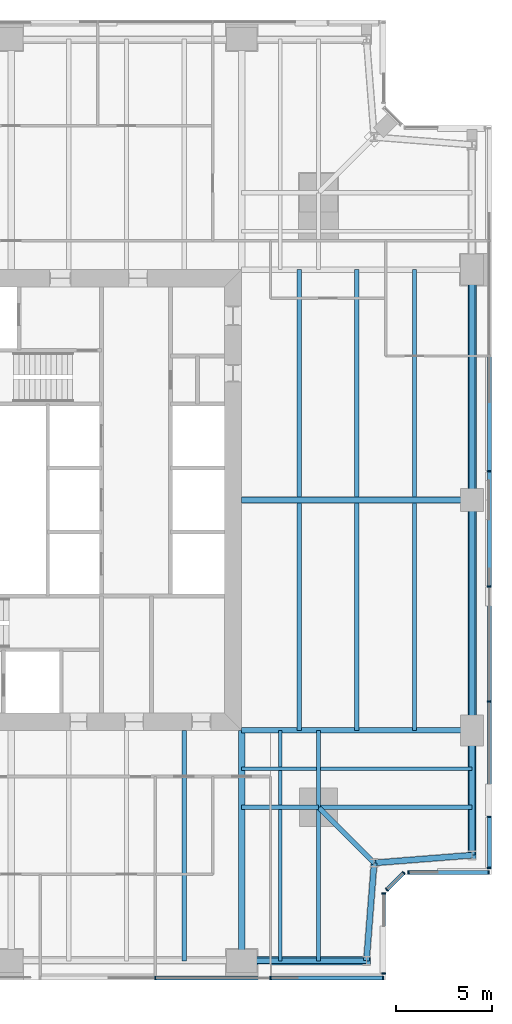
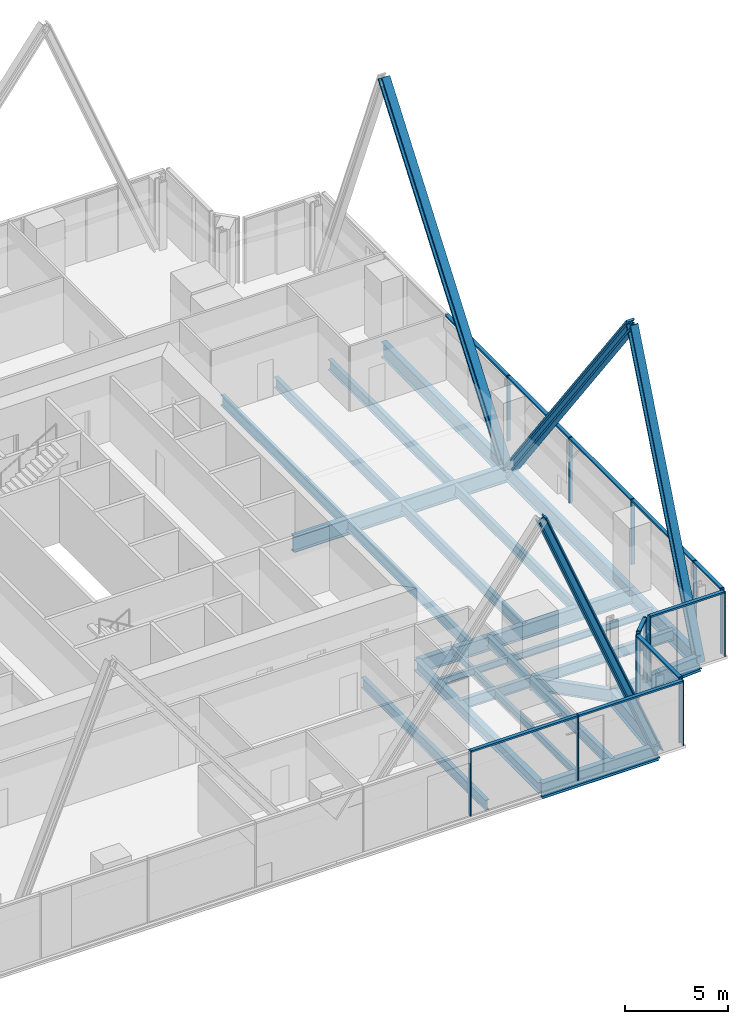
# One storey, part 5 of 14: 28 members, 26 beams, 5 elements without a shape of their own.
"""IFC4 building model written with IfcOpenShell, lengths in metres."""

from ifc_helpers import new_model, si_unit, direction, frame, origin, origin_2d, place, context, subcontext, project, spatial, rectangle, i_section, extrude, material, material_profile, profile_set, type_object, element, aggregate, save


model = new_model("IFC4")

# Units and contexts
model_context = context("Model", 3, precision=1e-05, world=origin(), true_north=direction((0.0, 1.0)))
body_context = subcontext(model_context, "Body", "Model", "MODEL_VIEW")
ifc_project = project(units=[si_unit("LENGTHUNIT", "METRE"), si_unit("AREAUNIT", "SQUARE_METRE"), si_unit("VOLUMEUNIT", "CUBIC_METRE"), si_unit("PLANEANGLEUNIT", "RADIAN"), si_unit("MASSUNIT", "GRAM", prefix="KILO")], contexts=[model_context])

# Site, building, storey
site_placement = place(None, origin())
site = spatial("IfcSite", under=ifc_project, at=site_placement, CompositionType="ELEMENT")
building_placement = place(site_placement, origin())
building = spatial("IfcBuilding", under=site, at=building_placement, Name="Fenwick Lantern Interchange", CompositionType="ELEMENT")
storey_placement = place(building_placement, frame((0.0, 0.0, 185.800048828125)))
storey = spatial("IfcBuildingStorey", under=building, at=storey_placement, Name="L43", CompositionType="ELEMENT", Elevation=185.800048828125)

# Beams
ifc_material_1 = material(Name="Steel ASTM A992 Grade 50", Category="steel")
ifc_material_profile_1 = material_profile(ifc_material_1, i_section(OverallWidth=0.3046875, OverallDepth=0.911865234375, WebThickness=0.015869140625, FlangeThickness=0.02392578125, at=origin_2d()), Name="W36X150")
ifc_profile_set_1 = profile_set([ifc_material_profile_1], Name="Steel ASTM A992 Grade 50")
beam_type_1 = type_object("IfcBeamType", Name="EDGE BEAM W36X150", PredefinedType="SPANDREL", material=ifc_profile_set_1)
beam_1_placement = place(storey_placement, frame((37.0, 1.0, -0.60595703125), z_axis=(1.0, 0.0, 0.0), x_axis=(0.0, 1.0, 0.0)))
element("IfcBeam", 1, at=beam_1_placement, inside=storey, type_object=beam_type_1, Name="L43/FR/S/EB4", PredefinedType="SPANDREL", context=body_context, shape_type="SweptSolid", body=[
    extrude(i_section(OverallWidth=0.3046875, OverallDepth=0.911865234375, WebThickness=0.015869140625, FlangeThickness=0.02392578125, at=origin_2d()), origin(), (0.0, 0.0, 1.0), 6.5),
])
for number, where, z_axis, x_axis, name in (
    (2, (43.5, 1.0, -0.60595703125), (0.078170784639, 0.99693998236, 0.0), (-0.99693998236, 0.078170784639, 0.0), "L43/FR/S/EBR1"),
    (3, (43.89990234375, 6.10009765625, -0.60595703125), (0.99693998236, 0.078170784639, 0.0), (-0.078170784639, 0.99693998236, 0.0), "L43/FR/S/EBR2"),
):
    element("IfcBeam", number, at=place(storey_placement, frame(where, z_axis=z_axis, x_axis=x_axis)), inside=storey, type_object=beam_type_1, Name=name, PredefinedType="SPANDREL", context=body_context, shape_type="SweptSolid", body=[
        extrude(i_section(OverallWidth=0.3046875, OverallDepth=0.911865234375, WebThickness=0.015869140625, FlangeThickness=0.02392578125, at=origin_2d()), origin(), (0.0, 0.0, 1.0), 5.11572265625),
    ])
beam_2_placement = place(storey_placement, frame((49.0, 6.5, -0.60595703125), z_axis=(0.0, 1.0, 0.0), x_axis=(-1.0, 0.0, 0.0)))
element("IfcBeam", 4, at=beam_2_placement, inside=storey, type_object=beam_type_1, Name="L43/FR/E/EB1", PredefinedType="SPANDREL", context=body_context, shape_type="SweptSolid", body=[
    extrude(i_section(OverallWidth=0.3046875, OverallDepth=0.911865234375, WebThickness=0.015869140625, FlangeThickness=0.02392578125, at=origin_2d()), origin(), (0.0, 0.0, 1.0), 6.5),
])
for number, where, z_axis, x_axis, name in (
    (5, (49.0, 13.0, -0.60595703125), (0.0, 1.0, 0.0), (-1.0, 0.0, 0.0), "L43/FR/E/EB2"),
    (6, (49.0, 25.0, -0.60595703125), (0.0, 1.0, 0.0), (-1.0, 0.0, 0.0), "L43/FR/E/EB3"),
):
    element("IfcBeam", number, at=place(storey_placement, frame(where, z_axis=z_axis, x_axis=x_axis)), inside=storey, type_object=beam_type_1, Name=name, PredefinedType="SPANDREL", context=body_context, shape_type="SweptSolid", body=[
        extrude(i_section(OverallWidth=0.3046875, OverallDepth=0.911865234375, WebThickness=0.015869140625, FlangeThickness=0.02392578125, at=origin_2d()), origin(), (0.0, 0.0, 1.0), 12.0),
    ])

# Members
ifc_material_profile_2 = material_profile(ifc_material_1, i_section(OverallWidth=0.424072265625, OverallDepth=0.47509765625, WebThickness=0.0478515625, FlangeThickness=0.0771484375, at=origin_2d()), Name="W14X426")
ifc_profile_set_2 = profile_set([ifc_material_profile_2], Name="Steel ASTM A992 Grade 50")
member_type_1 = type_object("IfcMemberType", Name="FACADE BRACE W14X426", PredefinedType="BRACE", material=ifc_profile_set_2)
for number, where, z_axis, x_axis, name in (
    (7, (43.5, 1.0, -0.60595703125), (-0.376377046956, 0.0, 0.926466577122), (0.0, -1.0, 0.0), "L43/FB/S/BE"),
    (8, (49.0, 6.5, -0.60595703125), (0.0, 0.376377046956, 0.926466577122), (-1.0, 0.0, 0.0), "L43/FB/E/AE"),
):
    element("IfcMember", number, at=place(storey_placement, frame(where, z_axis=z_axis, x_axis=x_axis)), inside=storey, type_object=member_type_1, Name=name, PredefinedType="BRACE", context=body_context, shape_type="SweptSolid", body=[
        extrude(i_section(OverallWidth=0.424072265625, OverallDepth=0.47509765625, WebThickness=0.0478515625, FlangeThickness=0.0771484375, at=origin_2d()), origin(), (0.0, 0.0, 1.0), 17.27001953125),
    ])
ifc_material_profile_3 = material_profile(ifc_material_1, i_section(OverallWidth=0.44189453125, OverallDepth=0.53076171875, WebThickness=0.06591796875, FlangeThickness=0.105712890625, at=origin_2d()), Name="W14X605")
ifc_profile_set_3 = profile_set([ifc_material_profile_3], Name="Steel ASTM A992 Grade 50")
member_type_2 = type_object("IfcMemberType", Name="FACADE BRACE W14X605", PredefinedType="BRACE", material=ifc_profile_set_3)
for number, where, z_axis, x_axis, name in (
    (9, (49.0, 25.0, -0.60595703125), (0.0, -0.6, 0.8), (1.0, 0.0, 0.0), "L43/FB/E/A"),
    (10, (49.0, 25.0, -0.60595703125), (0.0, 0.6, 0.8), (-1.0, 0.0, 0.0), "L43/FB/E/B"),
):
    element("IfcMember", number, at=place(storey_placement, frame(where, z_axis=z_axis, x_axis=x_axis)), inside=storey, type_object=member_type_2, Name=name, PredefinedType="BRACE", context=body_context, shape_type="SweptSolid", body=[
        extrude(i_section(OverallWidth=0.44189453125, OverallDepth=0.53076171875, WebThickness=0.06591796875, FlangeThickness=0.105712890625, at=origin_2d()), origin(), (0.0, 0.0, 1.0), 20.0),
    ])

# Beams
ifc_material_profile_4 = material_profile(ifc_material_1, i_section(OverallWidth=0.22900390625, OverallDepth=0.612060546875, WebThickness=0.011962890625, FlangeThickness=0.01953125, at=origin_2d()), Name="W24X84")
ifc_profile_set_4 = profile_set([ifc_material_profile_4], Name="Steel ASTM A992 Grade 50")
beam_type_2 = type_object("IfcBeamType", Name="FLOOR BEAM W24X84", PredefinedType="BEAM", material=ifc_profile_set_4)
beam_3_placement = place(storey_placement, frame((34.0, 1.0, -0.4560546875), z_axis=(0.0, 1.0, 0.0), x_axis=(-1.0, 0.0, 0.0)))
element("IfcBeam", 11, at=beam_3_placement, inside=storey, type_object=beam_type_2, Name="L43/FR/S/R08", PredefinedType="BEAM", context=body_context, shape_type="SweptSolid", body=[
    extrude(i_section(OverallWidth=0.22900390625, OverallDepth=0.612060546875, WebThickness=0.011962890625, FlangeThickness=0.01953125, at=origin_2d()), origin(), (0.0, 0.0, 1.0), 12.0),
])
for number, where, z_axis, x_axis, name in (
    (12, (46.0, 13.0, -0.4560546875), (0.0, 1.0, 0.0), (-1.0, 0.0, 0.0), "L43/FR/E/B01"),
    (13, (43.0, 13.0, -0.4560546875), (0.0, 1.0, 0.0), (-1.0, 0.0, 0.0), "L43/FR/E/B02"),
    (14, (40.0, 13.0, -0.4560546875), (0.0, 1.0, 0.0), (-1.0, 0.0, 0.0), "L43/FR/E/B03"),
    (15, (46.0, 25.155029296875, -0.4560546875), (0.0, 1.0, 0.0), (-1.0, 0.0, 0.0), "L43/FR/E/B04"),
    (16, (43.0, 25.155029296875, -0.4560546875), (0.0, 1.0, 0.0), (-1.0, 0.0, 0.0), "L43/FR/E/B05"),
    (17, (40.0, 25.155029296875, -0.4560546875), (0.0, 1.0, 0.0), (-1.0, 0.0, 0.0), "L43/FR/E/B06"),
):
    element("IfcBeam", number, at=place(storey_placement, frame(where, z_axis=z_axis, x_axis=x_axis)), inside=storey, type_object=beam_type_2, Name=name, PredefinedType="BEAM", context=body_context, shape_type="SweptSolid", body=[
        extrude(i_section(OverallWidth=0.22900390625, OverallDepth=0.612060546875, WebThickness=0.011962890625, FlangeThickness=0.01953125, at=origin_2d()), origin(), (0.0, 0.0, 1.0), 11.844970703125),
    ])
ifc_material_profile_5 = material_profile(ifc_material_1, i_section(OverallWidth=0.177734375, OverallDepth=0.406494140625, WebThickness=0.0078125, FlangeThickness=0.012939453125, at=origin_2d()), Name="W16X40")
ifc_profile_set_5 = profile_set([ifc_material_profile_5], Name="Steel ASTM A992 Grade 50")
beam_type_3 = type_object("IfcBeamType", Name="INFILL BEAM W16X40", PredefinedType="JOIST", material=ifc_profile_set_5)
beam_4_placement = place(storey_placement, frame((49.0, 11.0, -0.353271484375), z_axis=(-1.0, 0.0, 0.0), x_axis=(0.0, -1.0, 0.0)))
element("IfcBeam", 18, at=beam_4_placement, inside=storey, type_object=beam_type_3, Name="L43/FR/E/J1", PredefinedType="JOIST", context=body_context, shape_type="SweptSolid", body=[
    extrude(i_section(OverallWidth=0.177734375, OverallDepth=0.406494140625, WebThickness=0.0078125, FlangeThickness=0.012939453125, at=origin_2d()), origin(), (0.0, 0.0, 1.0), 7.885498046875),
])
beam_5_placement = place(storey_placement, frame((40.885498046875, 11.0, -0.353271484375), z_axis=(-1.0, 0.0, 0.0), x_axis=(0.0, -1.0, 0.0)))
element("IfcBeam", 19, at=beam_5_placement, inside=storey, type_object=beam_type_3, Name="L43/FR/E/J2", PredefinedType="JOIST", context=body_context, shape_type="SweptSolid", body=[
    extrude(i_section(OverallWidth=0.177734375, OverallDepth=0.406494140625, WebThickness=0.0078125, FlangeThickness=0.012939453125, at=origin_2d()), origin(), (0.0, 0.0, 1.0), 3.885498046875),
])
beam_6_placement = place(storey_placement, frame((39.0, 1.0, -0.353271484375), z_axis=(0.0, 1.0, 0.0), x_axis=(-1.0, 0.0, 0.0)))
element("IfcBeam", 20, at=beam_6_placement, inside=storey, type_object=beam_type_3, Name="L43/FR/E/J3", PredefinedType="JOIST", context=body_context, shape_type="SweptSolid", body=[
    extrude(i_section(OverallWidth=0.177734375, OverallDepth=0.406494140625, WebThickness=0.0078125, FlangeThickness=0.012939453125, at=origin_2d()), origin(), (0.0, 0.0, 1.0), 7.885498046875),
])
beam_7_placement = place(storey_placement, frame((39.0, 9.114501953125, -0.353271484375), z_axis=(0.0, 1.0, 0.0), x_axis=(-1.0, 0.0, 0.0)))
element("IfcBeam", 21, at=beam_7_placement, inside=storey, type_object=beam_type_3, Name="L43/FR/E/J4", PredefinedType="JOIST", context=body_context, shape_type="SweptSolid", body=[
    extrude(i_section(OverallWidth=0.177734375, OverallDepth=0.406494140625, WebThickness=0.0078125, FlangeThickness=0.012939453125, at=origin_2d()), origin(), (0.0, 0.0, 1.0), 1.796630859375),
])
beam_8_placement = place(storey_placement, frame((39.0, 11.0888671875, -0.353271484375), z_axis=(0.0, 1.0, 0.0), x_axis=(-1.0, 0.0, 0.0)))
element("IfcBeam", 22, at=beam_8_placement, inside=storey, type_object=beam_type_3, Name="L43/FR/E/J5", PredefinedType="JOIST", context=body_context, shape_type="SweptSolid", body=[
    extrude(i_section(OverallWidth=0.177734375, OverallDepth=0.406494140625, WebThickness=0.0078125, FlangeThickness=0.012939453125, at=origin_2d()), origin(), (0.0, 0.0, 1.0), 1.9111328125),
])
ifc_material_profile_6 = material_profile(ifc_material_1, i_section(OverallWidth=0.22900390625, OverallDepth=0.612060546875, WebThickness=0.011962890625, FlangeThickness=0.01953125, at=origin_2d()), Name="W24X84")
ifc_profile_set_6 = profile_set([ifc_material_profile_6], Name="Steel ASTM A992 Grade 50")
beam_type_4 = type_object("IfcBeamType", Name="MEGA COLUMN BEAM W24X84", PredefinedType="BEAM", material=ifc_profile_set_6)
for number, where, z_axis, x_axis, name in (
    (23, (41.0, 9.0, -0.4560546875), (1.0, 0.0, 0.0), (0.0, 1.0, 0.0), "L43/FR/E/MB1"),
    (24, (41.0, 9.0, -0.4560546875), (0.0, -1.0, 0.0), (1.0, 0.0, 0.0), "L43/FR/E/MB2"),
):
    element("IfcBeam", number, at=place(storey_placement, frame(where, z_axis=z_axis, x_axis=x_axis)), inside=storey, type_object=beam_type_4, Name=name, PredefinedType="BEAM", context=body_context, shape_type="SweptSolid", body=[
        extrude(i_section(OverallWidth=0.22900390625, OverallDepth=0.612060546875, WebThickness=0.011962890625, FlangeThickness=0.01953125, at=origin_2d()), origin(), (0.0, 0.0, 1.0), 8.0),
    ])
for number, where, z_axis, x_axis, name in (
    (25, (41.0, 9.0, -0.4560546875), (0.0, 1.0, 0.0), (-1.0, 0.0, 0.0), "L43/FR/E/MB3"),
    (26, (41.0, 9.0, -0.4560546875), (-1.0, 0.0, 0.0), (0.0, -1.0, 0.0), "L43/FR/E/MB4"),
):
    element("IfcBeam", number, at=place(storey_placement, frame(where, z_axis=z_axis, x_axis=x_axis)), inside=storey, type_object=beam_type_4, Name=name, PredefinedType="BEAM", context=body_context, shape_type="SweptSolid", body=[
        extrude(i_section(OverallWidth=0.22900390625, OverallDepth=0.612060546875, WebThickness=0.011962890625, FlangeThickness=0.01953125, at=origin_2d()), origin(), (0.0, 0.0, 1.0), 4.0),
    ])
ifc_material_profile_7 = material_profile(ifc_material_1, i_section(OverallWidth=0.32763671875, OverallDepth=0.622314453125, WebThickness=0.015380859375, FlangeThickness=0.0244140625, at=origin_2d()), Name="W24X131")
ifc_profile_set_7 = profile_set([ifc_material_profile_7], Name="Steel ASTM A992 Grade 50")
beam_type_5 = type_object("IfcBeamType", Name="MOMENT-CONNECTED GIRDER W24X131", PredefinedType="BEAM", material=ifc_profile_set_7)
beam_9_placement = place(storey_placement, frame((37.0, 1.0, -0.461181640625), z_axis=(0.0, 1.0, 0.0), x_axis=(-1.0, 0.0, 0.0)))
element("IfcBeam", 27, at=beam_9_placement, inside=storey, type_object=beam_type_5, Name="L43/FR/S/R09", PredefinedType="BEAM", context=body_context, shape_type="SweptSolid", body=[
    extrude(i_section(OverallWidth=0.32763671875, OverallDepth=0.622314453125, WebThickness=0.015380859375, FlangeThickness=0.0244140625, at=origin_2d()), origin(), (0.0, 0.0, 1.0), 12.0),
])
ifc_material_profile_8 = material_profile(ifc_material_1, i_section(OverallWidth=0.2919921875, OverallDepth=0.845703125, WebThickness=0.015380859375, FlangeThickness=0.0244140625, at=origin_2d()), Name="W33X141")
ifc_profile_set_8 = profile_set([ifc_material_profile_8], Name="Steel ASTM A992 Grade 50")
beam_type_6 = type_object("IfcBeamType", Name="MOMENT-CONNECTED GIRDER W33X141", PredefinedType="BEAM", material=ifc_profile_set_8)
beam_10_placement = place(storey_placement, frame((49.0, 13.0, -0.572998046875), z_axis=(-1.0, 0.0, 0.0), x_axis=(0.0, -1.0, 0.0)))
element("IfcBeam", 28, at=beam_10_placement, inside=storey, type_object=beam_type_6, Name="L43/FR/E/R01", PredefinedType="BEAM", context=body_context, shape_type="SweptSolid", body=[
    extrude(i_section(OverallWidth=0.2919921875, OverallDepth=0.845703125, WebThickness=0.015380859375, FlangeThickness=0.0244140625, at=origin_2d()), origin(), (0.0, 0.0, 1.0), 12.0),
])
ifc_material_profile_9 = material_profile(ifc_material_1, i_section(OverallWidth=0.309814453125, OverallDepth=0.949951171875, WebThickness=0.0244140625, FlangeThickness=0.0439453125, at=origin_2d()), Name="W36X256")
ifc_profile_set_9 = profile_set([ifc_material_profile_9], Name="Steel ASTM A992 Grade 50")
beam_type_7 = type_object("IfcBeamType", Name="MOMENT-CONNECTED GIRDER W36X256", PredefinedType="BEAM", material=ifc_profile_set_9)
beam_11_placement = place(storey_placement, frame((49.0, 25.0, -0.625), z_axis=(-1.0, 0.0, 0.0), x_axis=(0.0, -1.0, 0.0)))
element("IfcBeam", 29, at=beam_11_placement, inside=storey, type_object=beam_type_7, Name="L43/FR/E/R02", PredefinedType="BEAM", context=body_context, shape_type="SweptSolid", body=[
    extrude(i_section(OverallWidth=0.309814453125, OverallDepth=0.949951171875, WebThickness=0.0244140625, FlangeThickness=0.0439453125, at=origin_2d()), origin(), (0.0, 0.0, 1.0), 12.0),
])
ifc_material_profile_10 = material_profile(ifc_material_1, i_section(OverallWidth=0.2666015625, OverallDepth=0.7568359375, WebThickness=0.013916015625, FlangeThickness=0.019287109375, at=origin_2d()), Name="W30X108")
ifc_profile_set_10 = profile_set([ifc_material_profile_10], Name="Steel ASTM A992 Grade 50")
beam_type_8 = type_object("IfcBeamType", Name="NOTCH BEAM W30X108", PredefinedType="BEAM", material=ifc_profile_set_10)
beam_12_placement = place(storey_placement, frame((41.0, 9.0, -0.528564453125), z_axis=(0.707106781187, -0.707106781187, 0.0), x_axis=(0.707106781187, 0.707106781187, 0.0)))
element("IfcBeam", 30, at=beam_12_placement, inside=storey, type_object=beam_type_8, Name="L43/FR/E/TG", PredefinedType="BEAM", context=body_context, shape_type="SweptSolid", body=[
    extrude(i_section(OverallWidth=0.2666015625, OverallDepth=0.7568359375, WebThickness=0.013916015625, FlangeThickness=0.019287109375, at=origin_2d()), origin(), (0.0, 0.0, 1.0), 4.10107421875),
])

# Curtain wall, members
ifc_material_2 = material(Name="Aluminium curtain wall frame", Category="aluminium")
curtain_wall_type = type_object("IfcCurtainWallType", Name="OFFICE CURTAIN WALL", PredefinedType="USERDEFINED", material=ifc_material_2)
curtain_wall_1_placement = place(storey_placement, origin())
curtain_wall_1 = element("IfcCurtainWall", 31, at=curtain_wall_1_placement, inside=storey, type_object=curtain_wall_type, Name="Office curtain wall 01", ObjectType="OFFICE CURTAIN WALL", PredefinedType="USERDEFINED")
ifc_material_3 = material(Name="Aluminium extrusion", Category="aluminium")
ifc_material_profile_11 = material_profile(ifc_material_3, rectangle(XDim=0.199951171875, YDim=0.06494140625, at=origin_2d()), Name="OFFICE CURTAIN WALL MULLION 65 X 200")
ifc_profile_set_11 = profile_set([ifc_material_profile_11], Name="Aluminium extrusion")
member_type_3 = type_object("IfcMemberType", Name="OFFICE CURTAIN WALL MULLION 65 X 200", PredefinedType="MULLION", material=ifc_profile_set_11)
member_1_placement = place(storey_placement, frame((32.5, 0.10009765625, 0.0), z_axis=(0.0, 0.0, 1.0), x_axis=(0.0, 1.0, 0.0)))
member_1 = element("IfcMember", 32, at=member_1_placement, type_object=member_type_3, Name="L43/CW/01/M05", PredefinedType="MULLION", context=body_context, shape_type="SweptSolid", body=[
    extrude(rectangle(XDim=0.199951171875, YDim=0.06494140625, at=origin_2d()), origin(), (0.0, 0.0, 1.0), 3.849853515625),
])
member_2_placement = place(storey_placement, frame((38.5, 0.10009765625, 0.0), z_axis=(0.0, 0.0, 1.0), x_axis=(0.0, 1.0, 0.0)))
member_2 = element("IfcMember", 33, at=member_2_placement, type_object=member_type_3, Name="L43/CW/01/M06", PredefinedType="MULLION", context=body_context, shape_type="SweptSolid", body=[
    extrude(rectangle(XDim=0.199951171875, YDim=0.06494140625, at=origin_2d()), origin(), (0.0, 0.0, 1.0), 3.849853515625),
])
member_3_placement = place(storey_placement, frame((44.367431640625, 0.10009765625, 0.0), z_axis=(0.0, 0.0, 1.0), x_axis=(0.0, 1.0, 0.0)))
member_3 = element("IfcMember", 34, at=member_3_placement, type_object=member_type_3, Name="L43/CW/01/M07", PredefinedType="MULLION", context=body_context, shape_type="SweptSolid", body=[
    extrude(rectangle(XDim=0.199951171875, YDim=0.06494140625, at=origin_2d()), origin(), (0.0, 0.0, 1.0), 3.849853515625),
])

curtain_wall_2_placement = place(storey_placement, origin())
curtain_wall_2 = element("IfcCurtainWall", 35, at=curtain_wall_2_placement, inside=storey, type_object=curtain_wall_type, Name="Office curtain wall 02", ObjectType="OFFICE CURTAIN WALL", PredefinedType="USERDEFINED")
member_4_placement = place(storey_placement, frame((44.39990234375, 0.33251953125, 0.0), z_axis=(0.0, 0.0, 1.0), x_axis=(-1.0, 0.0, 0.0)))
member_4 = element("IfcMember", 36, at=member_4_placement, type_object=member_type_3, Name="L43/CW/02/M00", PredefinedType="MULLION", context=body_context, shape_type="SweptSolid", body=[
    extrude(rectangle(XDim=0.199951171875, YDim=0.06494140625, at=origin_2d()), origin(), (0.0, 0.0, 1.0), 3.849853515625),
])
member_5_placement = place(storey_placement, frame((44.39990234375, 4.509033203125, 0.0), z_axis=(0.0, 0.0, 1.0), x_axis=(-1.0, 0.0, 0.0)))
member_5 = element("IfcMember", 37, at=member_5_placement, type_object=member_type_3, Name="L43/CW/02/M01", PredefinedType="MULLION", context=body_context, shape_type="SweptSolid", body=[
    extrude(rectangle(XDim=0.199951171875, YDim=0.06494140625, at=origin_2d()), origin(), (0.0, 0.0, 1.0), 3.849853515625),
])

curtain_wall_3_placement = place(storey_placement, origin())
curtain_wall_3 = element("IfcCurtainWall", 38, at=curtain_wall_3_placement, inside=storey, type_object=curtain_wall_type, Name="Office curtain wall 03", ObjectType="OFFICE CURTAIN WALL", PredefinedType="USERDEFINED")
member_6_placement = place(storey_placement, frame((44.564453125, 4.705810546875, 0.0), z_axis=(0.0, 0.0, 1.0), x_axis=(-0.707106781187, 0.707106781187, 0.0)))
member_6 = element("IfcMember", 39, at=member_6_placement, type_object=member_type_3, Name="L43/CW/03/M00", PredefinedType="MULLION", context=body_context, shape_type="SweptSolid", body=[
    extrude(rectangle(XDim=0.199951171875, YDim=0.06494140625, at=origin_2d()), origin(), (0.0, 0.0, 1.0), 3.849853515625),
])
member_7_placement = place(storey_placement, frame((45.435546875, 5.576904296875, 0.0), z_axis=(0.0, 0.0, 1.0), x_axis=(-0.707106781187, 0.707106781187, 0.0)))
member_7 = element("IfcMember", 40, at=member_7_placement, type_object=member_type_3, Name="L43/CW/03/M01", PredefinedType="MULLION", context=body_context, shape_type="SweptSolid", body=[
    extrude(rectangle(XDim=0.199951171875, YDim=0.06494140625, at=origin_2d()), origin(), (0.0, 0.0, 1.0), 3.849853515625),
])

curtain_wall_4_placement = place(storey_placement, origin())
curtain_wall_4 = element("IfcCurtainWall", 41, at=curtain_wall_4_placement, inside=storey, type_object=curtain_wall_type, Name="Office curtain wall 04", ObjectType="OFFICE CURTAIN WALL", PredefinedType="USERDEFINED")
member_8_placement = place(storey_placement, frame((45.691162109375, 5.60009765625, 0.0), z_axis=(0.0, 0.0, 1.0), x_axis=(0.0, 1.0, 0.0)))
member_8 = element("IfcMember", 42, at=member_8_placement, type_object=member_type_3, Name="L43/CW/04/M00", PredefinedType="MULLION", context=body_context, shape_type="SweptSolid", body=[
    extrude(rectangle(XDim=0.199951171875, YDim=0.06494140625, at=origin_2d()), origin(), (0.0, 0.0, 1.0), 3.849853515625),
])
member_9_placement = place(storey_placement, frame((49.867431640625, 5.60009765625, 0.0), z_axis=(0.0, 0.0, 1.0), x_axis=(0.0, 1.0, 0.0)))
member_9 = element("IfcMember", 43, at=member_9_placement, type_object=member_type_3, Name="L43/CW/04/M01", PredefinedType="MULLION", context=body_context, shape_type="SweptSolid", body=[
    extrude(rectangle(XDim=0.199951171875, YDim=0.06494140625, at=origin_2d()), origin(), (0.0, 0.0, 1.0), 3.849853515625),
])

curtain_wall_5_placement = place(storey_placement, origin())
curtain_wall_5 = element("IfcCurtainWall", 44, at=curtain_wall_5_placement, inside=storey, type_object=curtain_wall_type, Name="Office curtain wall 05", ObjectType="OFFICE CURTAIN WALL", PredefinedType="USERDEFINED")
member_10_placement = place(storey_placement, frame((49.89990234375, 5.83251953125, 0.0), z_axis=(0.0, 0.0, 1.0), x_axis=(-1.0, 0.0, 0.0)))
member_10 = element("IfcMember", 45, at=member_10_placement, type_object=member_type_3, Name="L43/CW/05/M00", PredefinedType="MULLION", context=body_context, shape_type="SweptSolid", body=[
    extrude(rectangle(XDim=0.199951171875, YDim=0.06494140625, at=origin_2d()), origin(), (0.0, 0.0, 1.0), 3.849853515625),
])
member_11_placement = place(storey_placement, frame((49.89990234375, 8.5, 0.0), z_axis=(0.0, 0.0, 1.0), x_axis=(-1.0, 0.0, 0.0)))
member_11 = element("IfcMember", 46, at=member_11_placement, type_object=member_type_3, Name="L43/CW/05/M01", PredefinedType="MULLION", context=body_context, shape_type="SweptSolid", body=[
    extrude(rectangle(XDim=0.199951171875, YDim=0.06494140625, at=origin_2d()), origin(), (0.0, 0.0, 1.0), 3.849853515625),
])
member_12_placement = place(storey_placement, frame((49.89990234375, 14.5, 0.0), z_axis=(0.0, 0.0, 1.0), x_axis=(-1.0, 0.0, 0.0)))
member_12 = element("IfcMember", 47, at=member_12_placement, type_object=member_type_3, Name="L43/CW/05/M02", PredefinedType="MULLION", context=body_context, shape_type="SweptSolid", body=[
    extrude(rectangle(XDim=0.199951171875, YDim=0.06494140625, at=origin_2d()), origin(), (0.0, 0.0, 1.0), 3.849853515625),
])
member_13_placement = place(storey_placement, frame((49.89990234375, 20.5, 0.0), z_axis=(0.0, 0.0, 1.0), x_axis=(-1.0, 0.0, 0.0)))
member_13 = element("IfcMember", 48, at=member_13_placement, type_object=member_type_3, Name="L43/CW/05/M03", PredefinedType="MULLION", context=body_context, shape_type="SweptSolid", body=[
    extrude(rectangle(XDim=0.199951171875, YDim=0.06494140625, at=origin_2d()), origin(), (0.0, 0.0, 1.0), 3.849853515625),
])
member_14_placement = place(storey_placement, frame((49.89990234375, 26.5, 0.0), z_axis=(0.0, 0.0, 1.0), x_axis=(-1.0, 0.0, 0.0)))
member_14 = element("IfcMember", 49, at=member_14_placement, type_object=member_type_3, Name="L43/CW/05/M04", PredefinedType="MULLION", context=body_context, shape_type="SweptSolid", body=[
    extrude(rectangle(XDim=0.199951171875, YDim=0.06494140625, at=origin_2d()), origin(), (0.0, 0.0, 1.0), 3.849853515625),
])

# Member
ifc_material_profile_12 = material_profile(ifc_material_3, rectangle(XDim=0.199951171875, YDim=0.10009765625, at=origin_2d()), Name="OFFICE CURTAIN WALL TRANSOM 100 X 200")
ifc_profile_set_12 = profile_set([ifc_material_profile_12], Name="Aluminium extrusion")
member_type_4 = type_object("IfcMemberType", Name="OFFICE CURTAIN WALL TRANSOM 100 X 200", PredefinedType="MULLION", material=ifc_profile_set_12)
member_15_placement = place(storey_placement, frame((32.532470703125, 0.10009765625, 3.800048828125), z_axis=(1.0, 0.0, 0.0), x_axis=(0.0, 1.0, 0.0)))
member_15 = element("IfcMember", 50, at=member_15_placement, type_object=member_type_4, Name="L43/CW/01/T05", PredefinedType="MULLION", context=body_context, shape_type="SweptSolid", body=[
    extrude(rectangle(XDim=0.199951171875, YDim=0.10009765625, at=origin_2d()), origin(), (0.0, 0.0, 1.0), 5.93505859375),
])

member_16_placement = place(storey_placement, frame((38.532470703125, 0.10009765625, 3.800048828125), z_axis=(1.0, 0.0, 0.0), x_axis=(0.0, 1.0, 0.0)))
member_16 = element("IfcMember", 51, at=member_16_placement, type_object=member_type_4, Name="L43/CW/01/T06", PredefinedType="MULLION", context=body_context, shape_type="SweptSolid", body=[
    extrude(rectangle(XDim=0.199951171875, YDim=0.10009765625, at=origin_2d()), origin(), (0.0, 0.0, 1.0), 5.802490234375),
])

aggregate(curtain_wall_1, [member_1, member_2, member_3, member_15, member_16])

member_17_placement = place(storey_placement, frame((44.39990234375, 0.364990234375, 3.800048828125), z_axis=(0.0, 1.0, 0.0), x_axis=(-1.0, 0.0, 0.0)))
member_17 = element("IfcMember", 52, at=member_17_placement, type_object=member_type_4, Name="L43/CW/02/T00", PredefinedType="MULLION", context=body_context, shape_type="SweptSolid", body=[
    extrude(rectangle(XDim=0.199951171875, YDim=0.10009765625, at=origin_2d()), origin(), (0.0, 0.0, 1.0), 4.111328125),
])

aggregate(curtain_wall_2, [member_4, member_5, member_17])

member_18_placement = place(storey_placement, frame((44.58740234375, 4.728759765625, 3.800048828125), z_axis=(0.707106781187, 0.707106781187, 0.0), x_axis=(-0.707106781187, 0.707106781187, 0.0)))
member_18 = element("IfcMember", 53, at=member_18_placement, type_object=member_type_4, Name="L43/CW/03/T00", PredefinedType="MULLION", context=body_context, shape_type="SweptSolid", body=[
    extrude(rectangle(XDim=0.199951171875, YDim=0.10009765625, at=origin_2d()), origin(), (0.0, 0.0, 1.0), 1.1669921875),
])

aggregate(curtain_wall_3, [member_6, member_7, member_18])

member_19_placement = place(storey_placement, frame((45.7236328125, 5.60009765625, 3.800048828125), z_axis=(1.0, 0.0, 0.0), x_axis=(0.0, 1.0, 0.0)))
member_19 = element("IfcMember", 54, at=member_19_placement, type_object=member_type_4, Name="L43/CW/04/T00", PredefinedType="MULLION", context=body_context, shape_type="SweptSolid", body=[
    extrude(rectangle(XDim=0.199951171875, YDim=0.10009765625, at=origin_2d()), origin(), (0.0, 0.0, 1.0), 4.111328125),
])

aggregate(curtain_wall_4, [member_8, member_9, member_19])

member_20_placement = place(storey_placement, frame((49.89990234375, 5.864990234375, 3.800048828125), z_axis=(0.0, 1.0, 0.0), x_axis=(-1.0, 0.0, 0.0)))
member_20 = element("IfcMember", 55, at=member_20_placement, type_object=member_type_4, Name="L43/CW/05/T00", PredefinedType="MULLION", context=body_context, shape_type="SweptSolid", body=[
    extrude(rectangle(XDim=0.199951171875, YDim=0.10009765625, at=origin_2d()), origin(), (0.0, 0.0, 1.0), 2.6025390625),
])

member_21_placement = place(storey_placement, frame((49.89990234375, 8.532470703125, 3.800048828125), z_axis=(0.0, 1.0, 0.0), x_axis=(-1.0, 0.0, 0.0)))
member_21 = element("IfcMember", 56, at=member_21_placement, type_object=member_type_4, Name="L43/CW/05/T01", PredefinedType="MULLION", context=body_context, shape_type="SweptSolid", body=[
    extrude(rectangle(XDim=0.199951171875, YDim=0.10009765625, at=origin_2d()), origin(), (0.0, 0.0, 1.0), 5.93505859375),
])

member_22_placement = place(storey_placement, frame((49.89990234375, 14.532470703125, 3.800048828125), z_axis=(0.0, 1.0, 0.0), x_axis=(-1.0, 0.0, 0.0)))
member_22 = element("IfcMember", 57, at=member_22_placement, type_object=member_type_4, Name="L43/CW/05/T02", PredefinedType="MULLION", context=body_context, shape_type="SweptSolid", body=[
    extrude(rectangle(XDim=0.199951171875, YDim=0.10009765625, at=origin_2d()), origin(), (0.0, 0.0, 1.0), 5.93505859375),
])

member_23_placement = place(storey_placement, frame((49.89990234375, 20.532470703125, 3.800048828125), z_axis=(0.0, 1.0, 0.0), x_axis=(-1.0, 0.0, 0.0)))
member_23 = element("IfcMember", 58, at=member_23_placement, type_object=member_type_4, Name="L43/CW/05/T03", PredefinedType="MULLION", context=body_context, shape_type="SweptSolid", body=[
    extrude(rectangle(XDim=0.199951171875, YDim=0.10009765625, at=origin_2d()), origin(), (0.0, 0.0, 1.0), 5.93505859375),
])

member_24_placement = place(storey_placement, frame((49.89990234375, 26.532470703125, 3.800048828125), z_axis=(0.0, 1.0, 0.0), x_axis=(-1.0, 0.0, 0.0)))
member_24 = element("IfcMember", 59, at=member_24_placement, type_object=member_type_4, Name="L43/CW/05/T04", PredefinedType="MULLION", context=body_context, shape_type="SweptSolid", body=[
    extrude(rectangle(XDim=0.199951171875, YDim=0.10009765625, at=origin_2d()), origin(), (0.0, 0.0, 1.0), 5.93505859375),
])

aggregate(curtain_wall_5, [member_10, member_11, member_12, member_13, member_14, member_20, member_21, member_22, member_23, member_24])

save(model, "model.ifc")
